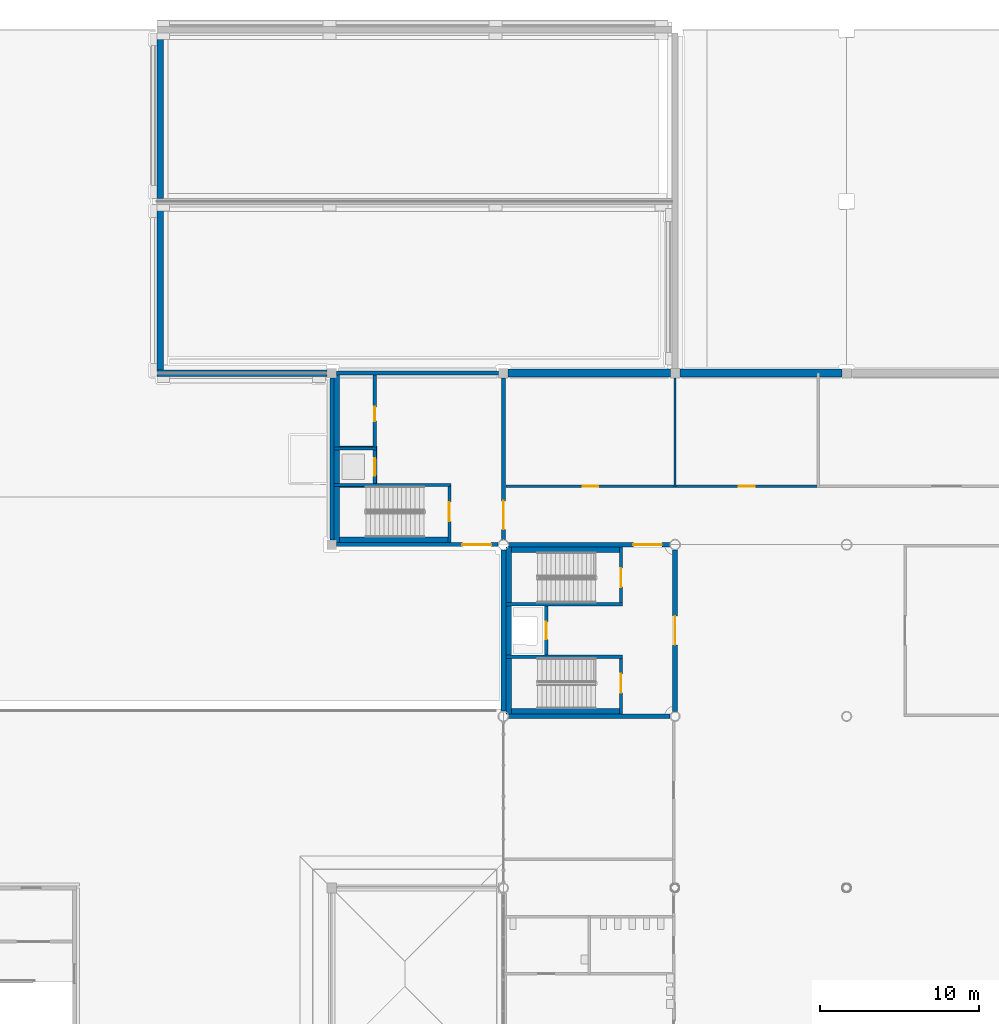
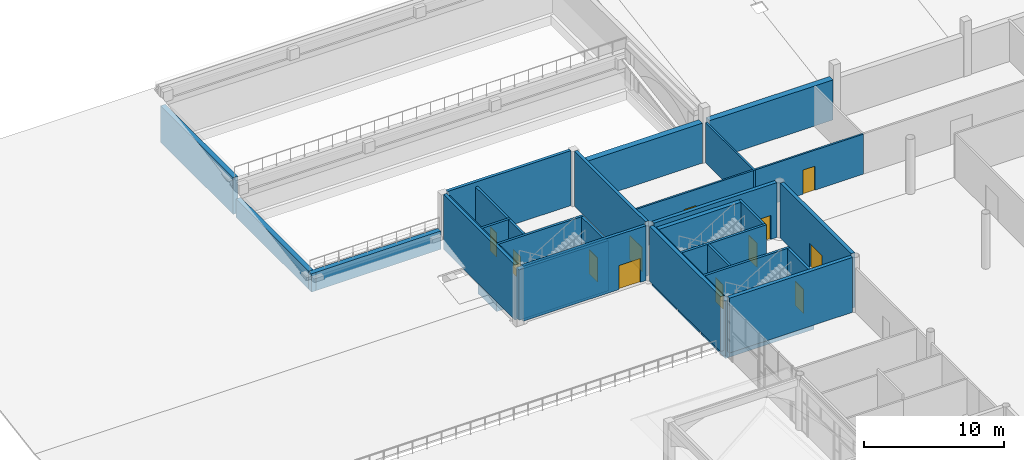
# One storey, part 50 of 91: 36 walls, 12 doors, 12 openings.
"""IFC4 building model written with IfcOpenShell, lengths in metres."""

from ifc_helpers import new_model, si_unit, direction, frame, frame_2d, origin, place, context, subcontext, project, spatial, polyline, rectangle, outline, extrude, material, layer, layer_set, type_object, element, fill, save


model = new_model("IFC4")

# Units and contexts
model_context = context("Model", 3, precision=1e-05, world=origin(), true_north=direction((0.0, 1.0)))
body_context = subcontext(model_context, "Body", "Model", "MODEL_VIEW")
ifc_project = project(units=[si_unit("LENGTHUNIT", "METRE"), si_unit("AREAUNIT", "SQUARE_METRE"), si_unit("VOLUMEUNIT", "CUBIC_METRE"), si_unit("PLANEANGLEUNIT", "RADIAN"), si_unit("MASSUNIT", "GRAM", prefix="KILO")], contexts=[model_context])

# Site, building, storey
site_placement = place(None, origin())
site = spatial("IfcSite", under=ifc_project, at=site_placement, CompositionType="ELEMENT")
building_placement = place(site_placement, origin())
building = spatial("IfcBuilding", under=site, at=building_placement, Name="Magnolia Steps Interchange", CompositionType="ELEMENT")
storey_placement = place(building_placement, origin())
storey = spatial("IfcBuildingStorey", under=building, at=storey_placement, Name="L00", CompositionType="ELEMENT", Elevation=0.0)

# Walls
ifc_material_1 = material(Name="Concrete C40", Category="concrete")
ifc_layer_1 = layer(ifc_material_1, 0.5)
ifc_layer_set_1 = layer_set([ifc_layer_1], Name="Concrete C40 plinth retaining wall 500")
wall_type_1 = type_object("IfcWallType", Name="Concrete C40 plinth retaining wall 500", PredefinedType="SOLIDWALL", material=ifc_layer_set_1)
for number, where, z_axis, x_axis, name in (
    (1, (53.5, 96.39990234375, 0.0), (0.0, 0.0, 1.0), (1.0, 0.0, 0.0), "Service wing north retaining wall"),
    (2, (64.300048828125, 96.39990234375, 0.0), (0.0, 0.0, 1.0), (1.0, 0.0, 0.0), "Service wing north retaining wall"),
):
    element("IfcWall", number, at=place(storey_placement, frame(where, z_axis=z_axis, x_axis=x_axis)), inside=storey, type_object=wall_type_1, Name=name, PredefinedType="SOLIDWALL", context=body_context, shape_type="SweptSolid", body=[
        extrude(rectangle(XDim=10.199951171875, YDim=0.5, at=frame_2d((5.10009765625, 0.0))), origin(), (0.0, 0.0, 1.0), 3.5),
    ])

# Wall, opening, door
ifc_material_2 = material(Name="Concrete C35", Category="concrete")
ifc_layer_2 = layer(ifc_material_2, 0.199951171875)
ifc_layer_set_2 = layer_set([ifc_layer_2], Name="Core enclosure wall 200")
wall_type_2 = type_object("IfcWallType", Name="Core enclosure wall 200", PredefinedType="SOLIDWALL", material=ifc_layer_set_2)
wall_1_placement = place(storey_placement, frame((60.60009765625, 74.949951171875, 0.0), z_axis=(0.0, 0.0, 1.0), x_axis=(0.0, 1.0, 0.0)))
wall_1 = element("IfcWall", 3, at=wall_1_placement, inside=storey, type_object=wall_type_2, Name="L00 HC1 enclosure wall", PredefinedType="SOLIDWALL", context=body_context, shape_type="SweptSolid", body=[
    extrude(rectangle(XDim=3.5, YDim=0.199951171875, at=frame_2d((1.75, 0.0))), origin(), (0.0, 0.0, 1.0), 4.39990234375),
])
opening_1_placement = place(wall_1_placement, frame((1.324951171875, 0.0, 0.0)))
opening_1 = element("IfcOpeningElement", 4, at=opening_1_placement, cuts=wall_1, Name="Opening D-HC1-L00-1", PredefinedType="OPENING", context=body_context, shape_type="SweptSolid", body=[
    extrude(rectangle(XDim=1.199951171875, YDim=2.10009765625, at=frame_2d((0.60009765625, 1.050048828125))), frame((0.0, 0.10986328125, 0.0), z_axis=(0.0, -1.0, 0.0), x_axis=(1.0, 0.0, 0.0)), (0.0, 0.0, 1.0), 0.219970703125),
])
ifc_material_3 = material(Name="Painted steel", Category="steel")
door_type_1 = type_object("IfcDoorType", Name="Stair fire door 1200x2100", OperationType="NOTDEFINED", PredefinedType="DOOR", material=ifc_material_3)
door_1_placement = place(opening_1_placement, frame((1.199951171875, 0.0, 0.0), z_axis=(0.0, 0.0, 1.0), x_axis=(-1.0, 0.0, 0.0)))
door_1 = element("IfcDoor", 5, at=door_1_placement, inside=storey, type_object=door_type_1, Name="Stair door ST1 L00", OperationType="SINGLE_SWING_LEFT", OverallHeight=2.10009765625, OverallWidth=1.199951171875, PredefinedType="DOOR", context=body_context, shape_type="SweptSolid", body=[
    extrude(rectangle(XDim=1.199951171875, YDim=2.10009765625, at=frame_2d((0.60009765625, 1.050048828125))), frame((0.0, 0.02490234375, 0.0), z_axis=(0.0, -1.0, 0.0), x_axis=(1.0, 0.0, 0.0)), (0.0, 0.0, 1.0), 0.050048828125),
])
fill(opening_1, door_1)

# Wall
wall_2_placement = place(storey_placement, frame((60.699951171875, 78.550048828125, 0.0), z_axis=(0.0, 0.0, 1.0), x_axis=(-1.0, 0.0, 0.0)))
element("IfcWall", 6, at=wall_2_placement, inside=storey, type_object=wall_type_2, Name="L00 HC1 enclosure wall", PredefinedType="SOLIDWALL", context=body_context, shape_type="SweptSolid", body=[
    extrude(rectangle(XDim=7.349853515625, YDim=0.199951171875, at=frame_2d((3.6748046875, 0.0))), origin(), (0.0, 0.0, 1.0), 4.39990234375),
])

# Wall, opening, door
wall_3_placement = place(storey_placement, frame((55.89990234375, 78.64990234375, 0.0), z_axis=(0.0, 0.0, 1.0), x_axis=(0.0, 1.0, 0.0)))
wall_3 = element("IfcWall", 7, at=wall_3_placement, inside=storey, type_object=wall_type_2, Name="L00 HC1 enclosure wall", PredefinedType="SOLIDWALL", context=body_context, shape_type="SweptSolid", body=[
    extrude(rectangle(XDim=3.10009765625, YDim=0.199951171875, at=frame_2d((1.550048828125, 0.0))), origin(), (0.0, 0.0, 1.0), 4.39990234375),
])
opening_2_placement = place(wall_3_placement, frame((1.0, 0.0, 0.0)))
opening_2 = element("IfcOpeningElement", 8, at=opening_2_placement, cuts=wall_3, Name="Opening LD", PredefinedType="OPENING", context=body_context, shape_type="SweptSolid", body=[
    extrude(rectangle(XDim=1.10009765625, YDim=2.10009765625, at=frame_2d((0.550048828125, 1.050048828125))), frame((0.0, 0.10986328125, 0.0), z_axis=(0.0, -1.0, 0.0), x_axis=(1.0, 0.0, 0.0)), (0.0, 0.0, 1.0), 0.219970703125),
])
ifc_material_4 = material(Name="Stainless steel grade 304", Category="steel")
door_type_2 = type_object("IfcDoorType", Name="Lift landing door 1100x2100", OperationType="DOUBLE_DOOR_SLIDING", PredefinedType="DOOR", material=ifc_material_4)
door_2_placement = place(opening_2_placement, frame((1.10009765625, 0.0, 0.0), z_axis=(0.0, 0.0, 1.0), x_axis=(-1.0, 0.0, 0.0)))
door_2 = element("IfcDoor", 9, at=door_2_placement, inside=storey, type_object=door_type_2, Name="Lift landing door LF1 L00", OperationType="DOUBLE_DOOR_SLIDING", OverallHeight=2.10009765625, OverallWidth=1.10009765625, PredefinedType="DOOR", context=body_context, shape_type="SweptSolid", body=[
    extrude(rectangle(XDim=1.10009765625, YDim=2.10009765625, at=frame_2d((0.550048828125, 1.050048828125))), frame((0.0, 0.02490234375, 0.0), z_axis=(0.0, -1.0, 0.0), x_axis=(1.0, 0.0, 0.0)), (0.0, 0.0, 1.0), 0.050048828125),
])
fill(opening_2, door_2)

# Wall
wall_4_placement = place(storey_placement, frame((60.699951171875, 81.85009765625, 0.0), z_axis=(0.0, 0.0, 1.0), x_axis=(-1.0, 0.0, 0.0)))
element("IfcWall", 10, at=wall_4_placement, inside=storey, type_object=wall_type_2, Name="L00 HC1 enclosure wall", PredefinedType="SOLIDWALL", context=body_context, shape_type="SweptSolid", body=[
    extrude(rectangle(XDim=7.349853515625, YDim=0.199951171875, at=frame_2d((3.6748046875, 0.0))), origin(), (0.0, 0.0, 1.0), 4.39990234375),
])

# Wall, opening, door
wall_5_placement = place(storey_placement, frame((60.60009765625, 81.949951171875, 0.0), z_axis=(0.0, 0.0, 1.0), x_axis=(0.0, 1.0, 0.0)))
wall_5 = element("IfcWall", 11, at=wall_5_placement, inside=storey, type_object=wall_type_2, Name="L00 HC1 enclosure wall", PredefinedType="SOLIDWALL", context=body_context, shape_type="SweptSolid", body=[
    extrude(rectangle(XDim=3.5, YDim=0.199951171875, at=frame_2d((1.75, 0.0))), origin(), (0.0, 0.0, 1.0), 4.39990234375),
])
opening_3_placement = place(wall_5_placement, frame((0.97509765625, 0.0, 0.0)))
opening_3 = element("IfcOpeningElement", 12, at=opening_3_placement, cuts=wall_5, Name="Opening D-HC1-L00-2", PredefinedType="OPENING", context=body_context, shape_type="SweptSolid", body=[
    extrude(rectangle(XDim=1.199951171875, YDim=2.10009765625, at=frame_2d((0.60009765625, 1.050048828125))), frame((0.0, 0.10986328125, 0.0), z_axis=(0.0, -1.0, 0.0), x_axis=(1.0, 0.0, 0.0)), (0.0, 0.0, 1.0), 0.219970703125),
])
door_3_placement = place(opening_3_placement, frame((1.199951171875, 0.0, 0.0), z_axis=(0.0, 0.0, 1.0), x_axis=(-1.0, 0.0, 0.0)))
door_3 = element("IfcDoor", 13, at=door_3_placement, inside=storey, type_object=door_type_1, Name="Stair door ST2 L00", OperationType="SINGLE_SWING_RIGHT", OverallHeight=2.10009765625, OverallWidth=1.199951171875, PredefinedType="DOOR", context=body_context, shape_type="SweptSolid", body=[
    extrude(rectangle(XDim=1.199951171875, YDim=2.10009765625, at=frame_2d((0.60009765625, 1.050048828125))), frame((0.0, 0.02490234375, 0.0), z_axis=(0.0, -1.0, 0.0), x_axis=(1.0, 0.0, 0.0)), (0.0, 0.0, 1.0), 0.050048828125),
])
fill(opening_3, door_3)

wall_6_placement = place(storey_placement, frame((49.800048828125, 85.72509765625, 0.0), z_axis=(0.0, 0.0, 1.0), x_axis=(0.0, 1.0, 0.0)))
wall_6 = element("IfcWall", 14, at=wall_6_placement, inside=storey, type_object=wall_type_2, Name="L00 WC-W enclosure wall", PredefinedType="SOLIDWALL", context=body_context, shape_type="SweptSolid", body=[
    extrude(rectangle(XDim=3.52490234375, YDim=0.199951171875, at=frame_2d((1.762451171875, 0.0))), origin(), (0.0, 0.0, 1.0), 4.39990234375),
])
opening_4_placement = place(wall_6_placement, frame((1.35009765625, 0.0, 0.0)))
opening_4 = element("IfcOpeningElement", 15, at=opening_4_placement, cuts=wall_6, Name="Opening D-WC-W-L00-1", PredefinedType="OPENING", context=body_context, shape_type="SweptSolid", body=[
    extrude(rectangle(XDim=1.199951171875, YDim=2.10009765625, at=frame_2d((0.60009765625, 1.050048828125))), frame((0.0, 0.10986328125, 0.0), z_axis=(0.0, -1.0, 0.0), x_axis=(1.0, 0.0, 0.0)), (0.0, 0.0, 1.0), 0.219970703125),
])
door_4_placement = place(opening_4_placement, frame((1.199951171875, 0.0, 0.0), z_axis=(0.0, 0.0, 1.0), x_axis=(-1.0, 0.0, 0.0)))
door_4 = element("IfcDoor", 16, at=door_4_placement, inside=storey, type_object=door_type_1, Name="Stair door ST26 L00", OperationType="SINGLE_SWING_LEFT", OverallHeight=2.10009765625, OverallWidth=1.199951171875, PredefinedType="DOOR", context=body_context, shape_type="SweptSolid", body=[
    extrude(rectangle(XDim=1.199951171875, YDim=2.10009765625, at=frame_2d((0.60009765625, 1.050048828125))), frame((0.0, 0.02490234375, 0.0), z_axis=(0.0, -1.0, 0.0), x_axis=(1.0, 0.0, 0.0)), (0.0, 0.0, 1.0), 0.050048828125),
])
fill(opening_4, door_4)

# Wall
wall_7_placement = place(storey_placement, frame((49.89990234375, 89.35009765625, 0.0), z_axis=(0.0, 0.0, 1.0), x_axis=(-1.0, 0.0, 0.0)))
element("IfcWall", 17, at=wall_7_placement, inside=storey, type_object=wall_type_2, Name="L00 WC-W enclosure wall", PredefinedType="SOLIDWALL", context=body_context, shape_type="SweptSolid", body=[
    extrude(rectangle(XDim=7.375, YDim=0.199951171875, at=frame_2d((3.6875, 0.0))), origin(), (0.0, 0.0, 1.0), 4.39990234375),
])

# Wall, opening, door
wall_8_placement = place(storey_placement, frame((45.10009765625, 89.449951171875, 0.0), z_axis=(0.0, 0.0, 1.0), x_axis=(0.0, 1.0, 0.0)))
wall_8 = element("IfcWall", 18, at=wall_8_placement, inside=storey, type_object=wall_type_2, Name="L00 WC-W enclosure wall", PredefinedType="SOLIDWALL", context=body_context, shape_type="SweptSolid", body=[
    extrude(rectangle(XDim=2.10009765625, YDim=0.199951171875, at=frame_2d((1.050048828125, 0.0))), origin(), (0.0, 0.0, 1.0), 4.39990234375),
])
opening_5_placement = place(wall_8_placement, frame((0.5, 0.0, 0.0)))
opening_5 = element("IfcOpeningElement", 19, at=opening_5_placement, cuts=wall_8, Name="Opening LD", PredefinedType="OPENING", context=body_context, shape_type="SweptSolid", body=[
    extrude(rectangle(XDim=1.10009765625, YDim=2.10009765625, at=frame_2d((0.550048828125, 1.050048828125))), frame((0.0, 0.10986328125, 0.0), z_axis=(0.0, -1.0, 0.0), x_axis=(1.0, 0.0, 0.0)), (0.0, 0.0, 1.0), 0.219970703125),
])
door_5_placement = place(opening_5_placement, frame((1.10009765625, 0.0, 0.0), z_axis=(0.0, 0.0, 1.0), x_axis=(-1.0, 0.0, 0.0)))
door_5 = element("IfcDoor", 20, at=door_5_placement, inside=storey, type_object=door_type_2, Name="Lift landing door LF13 L00", OperationType="DOUBLE_DOOR_SLIDING", OverallHeight=2.10009765625, OverallWidth=1.10009765625, PredefinedType="DOOR", context=body_context, shape_type="SweptSolid", body=[
    extrude(rectangle(XDim=1.10009765625, YDim=2.10009765625, at=frame_2d((0.550048828125, 1.050048828125))), frame((0.0, 0.02490234375, 0.0), z_axis=(0.0, -1.0, 0.0), x_axis=(1.0, 0.0, 0.0)), (0.0, 0.0, 1.0), 0.050048828125),
])
fill(opening_5, door_5)

# Wall
wall_9_placement = place(storey_placement, frame((45.199951171875, 91.64990234375, 0.0), z_axis=(0.0, 0.0, 1.0), x_axis=(-1.0, 0.0, 0.0)))
element("IfcWall", 21, at=wall_9_placement, inside=storey, type_object=wall_type_2, Name="L00 WC-W enclosure wall", PredefinedType="SOLIDWALL", context=body_context, shape_type="SweptSolid", body=[
    extrude(rectangle(XDim=2.675048828125, YDim=0.199951171875, at=frame_2d((1.33740234375, 0.0))), origin(), (0.0, 0.0, 1.0), 4.39990234375),
])

# Wall, opening, door
wall_10_placement = place(storey_placement, frame((45.10009765625, 91.75, 0.0), z_axis=(0.0, 0.0, 1.0), x_axis=(0.0, 1.0, 0.0)))
wall_10 = element("IfcWall", 22, at=wall_10_placement, inside=storey, type_object=wall_type_2, Name="L00 WC-W enclosure wall", PredefinedType="SOLIDWALL", context=body_context, shape_type="SweptSolid", body=[
    extrude(rectangle(XDim=4.52490234375, YDim=0.199951171875, at=frame_2d((2.262451171875, 0.0))), origin(), (0.0, 0.0, 1.0), 4.39990234375),
])
opening_6_placement = place(wall_10_placement, frame((1.625, 0.0, 0.0)))
opening_6 = element("IfcOpeningElement", 23, at=opening_6_placement, cuts=wall_10, Name="Opening D-WC-W-L00-2", PredefinedType="OPENING", context=body_context, shape_type="SweptSolid", body=[
    extrude(rectangle(XDim=0.89990234375, YDim=2.10009765625, at=frame_2d((0.449951171875, 1.050048828125))), frame((0.0, 0.10986328125, 0.0), z_axis=(0.0, -1.0, 0.0), x_axis=(1.0, 0.0, 0.0)), (0.0, 0.0, 1.0), 0.219970703125),
])
ifc_material_5 = material(Name="Painted steel", Category="steel")
door_type_3 = type_object("IfcDoorType", Name="Riser door 900x2100", OperationType="NOTDEFINED", PredefinedType="DOOR", material=ifc_material_5)
door_6_placement = place(opening_6_placement, frame((0.89990234375, 0.0, 0.0), z_axis=(0.0, 0.0, 1.0), x_axis=(-1.0, 0.0, 0.0)))
door_6 = element("IfcDoor", 24, at=door_6_placement, inside=storey, type_object=door_type_3, Name="Riser door WC-W L00", OperationType="SINGLE_SWING_RIGHT", OverallHeight=2.10009765625, OverallWidth=0.89990234375, PredefinedType="DOOR", context=body_context, shape_type="SweptSolid", body=[
    extrude(rectangle(XDim=0.89990234375, YDim=2.10009765625, at=frame_2d((0.449951171875, 1.050048828125))), frame((0.0, 0.02490234375, 0.0), z_axis=(0.0, -1.0, 0.0), x_axis=(1.0, 0.0, 0.0)), (0.0, 0.0, 1.0), 0.050048828125),
])
fill(opening_6, door_6)

# Walls
ifc_material_6 = material(Name="Concrete C35", Category="concrete")
ifc_layer_3 = layer(ifc_material_6, 0.35009765625)
ifc_layer_set_3 = layer_set([ifc_layer_3], Name="Core lining wall 350")
wall_type_3 = type_object("IfcWallType", Name="Core lining wall 350", PredefinedType="SOLIDWALL", material=ifc_layer_set_3)
wall_11_placement = place(storey_placement, frame((60.699951171875, 75.125, -0.60009765625), z_axis=(0.0, 0.0, 1.0), x_axis=(-1.0, 0.0, 0.0)))
element("IfcWall", 25, at=wall_11_placement, inside=storey, type_object=wall_type_3, Name="L00 HC1 stair lining wall", PredefinedType="SOLIDWALL", context=body_context, shape_type="SweptSolid", body=[
    extrude(rectangle(XDim=7.349853515625, YDim=0.35009765625, at=frame_2d((3.6748046875, 0.0))), origin(), (0.0, 0.0, 1.0), 5.0),
])
wall_12_placement = place(storey_placement, frame((53.52490234375, 74.949951171875, -0.60009765625), z_axis=(0.0, 0.0, 1.0), x_axis=(0.0, 1.0, 0.0)))
element("IfcWall", 26, at=wall_12_placement, inside=storey, type_object=wall_type_3, Name="L00 HC1 stair lining wall", PredefinedType="SOLIDWALL", context=body_context, shape_type="SweptSolid", body=[
    extrude(rectangle(XDim=3.5, YDim=0.35009765625, at=frame_2d((1.75, 0.0))), origin(), (0.0, 0.0, 1.0), 5.0),
])
wall_13_placement = place(storey_placement, frame((60.699951171875, 85.27490234375, -0.60009765625), z_axis=(0.0, 0.0, 1.0), x_axis=(-1.0, 0.0, 0.0)))
element("IfcWall", 27, at=wall_13_placement, inside=storey, type_object=wall_type_3, Name="L00 HC1 stair lining wall", PredefinedType="SOLIDWALL", context=body_context, shape_type="SweptSolid", body=[
    extrude(rectangle(XDim=7.349853515625, YDim=0.35009765625, at=frame_2d((3.6748046875, 0.0))), origin(), (0.0, 0.0, 1.0), 5.0),
])
wall_14_placement = place(storey_placement, frame((53.52490234375, 81.949951171875, -0.60009765625), z_axis=(0.0, 0.0, 1.0), x_axis=(0.0, 1.0, 0.0)))
element("IfcWall", 28, at=wall_14_placement, inside=storey, type_object=wall_type_3, Name="L00 HC1 stair lining wall", PredefinedType="SOLIDWALL", context=body_context, shape_type="SweptSolid", body=[
    extrude(rectangle(XDim=3.5, YDim=0.35009765625, at=frame_2d((1.75, 0.0))), origin(), (0.0, 0.0, 1.0), 5.0),
])
wall_15_placement = place(storey_placement, frame((53.52490234375, 78.64990234375, -0.60009765625), z_axis=(0.0, 0.0, 1.0), x_axis=(0.0, 1.0, 0.0)))
element("IfcWall", 29, at=wall_15_placement, inside=storey, type_object=wall_type_3, Name="L00 HC1 stair lining wall", PredefinedType="SOLIDWALL", context=body_context, shape_type="SweptSolid", body=[
    extrude(rectangle(XDim=3.10009765625, YDim=0.35009765625, at=frame_2d((1.550048828125, 0.0))), origin(), (0.0, 0.0, 1.0), 5.0),
])
ifc_material_7 = material(Name="Concrete C35", Category="concrete")
ifc_layer_4 = layer(ifc_material_7, 0.375)
ifc_layer_set_4 = layer_set([ifc_layer_4], Name="Core lining wall 375")
wall_type_4 = type_object("IfcWallType", Name="Core lining wall 375", PredefinedType="SOLIDWALL", material=ifc_layer_set_4)
wall_16_placement = place(storey_placement, frame((49.89990234375, 85.91259765625, 0.0), z_axis=(0.0, 0.0, 1.0), x_axis=(-1.0, 0.0, 0.0)))
element("IfcWall", 30, at=wall_16_placement, inside=storey, type_object=wall_type_4, Name="L00 WC-W stair lining wall", PredefinedType="SOLIDWALL", context=body_context, shape_type="SweptSolid", body=[
    extrude(rectangle(XDim=7.375, YDim=0.375, at=frame_2d((3.6875, 0.0))), origin(), (0.0, 0.0, 1.0), 4.39990234375),
])
wall_17_placement = place(storey_placement, frame((42.71240234375, 85.72509765625, 0.0), z_axis=(0.0, 0.0, 1.0), x_axis=(0.0, 1.0, 0.0)))
element("IfcWall", 31, at=wall_17_placement, inside=storey, type_object=wall_type_4, Name="L00 WC-W stair lining wall", PredefinedType="SOLIDWALL", context=body_context, shape_type="SweptSolid", body=[
    extrude(rectangle(XDim=3.52490234375, YDim=0.375, at=frame_2d((1.762451171875, 0.0))), origin(), (0.0, 0.0, 1.0), 4.39990234375),
])
wall_18_placement = place(storey_placement, frame((42.71240234375, 89.449951171875, 0.0), z_axis=(0.0, 0.0, 1.0), x_axis=(0.0, 1.0, 0.0)))
element("IfcWall", 32, at=wall_18_placement, inside=storey, type_object=wall_type_4, Name="L00 WC-W stair lining wall", PredefinedType="SOLIDWALL", context=body_context, shape_type="SweptSolid", body=[
    extrude(rectangle(XDim=2.10009765625, YDim=0.375, at=frame_2d((1.050048828125, 0.0))), origin(), (0.0, 0.0, 1.0), 4.39990234375),
])
wall_19_placement = place(storey_placement, frame((42.71240234375, 91.75, 0.0), z_axis=(0.0, 0.0, 1.0), x_axis=(0.0, 1.0, 0.0)))
element("IfcWall", 33, at=wall_19_placement, inside=storey, type_object=wall_type_4, Name="L00 WC-W stair lining wall", PredefinedType="SOLIDWALL", context=body_context, shape_type="SweptSolid", body=[
    extrude(rectangle(XDim=4.52490234375, YDim=0.375, at=frame_2d((2.262451171875, 0.0))), origin(), (0.0, 0.0, 1.0), 4.39990234375),
])

# Wall, opening, door
ifc_material_8 = material(Name="Concrete C40", Category="concrete")
ifc_layer_5 = layer(ifc_material_8, 0.25)
ifc_layer_set_5 = layer_set([ifc_layer_5], Name="Core wall 250")
wall_type_5 = type_object("IfcWallType", Name="Core wall 250", PredefinedType="SOLIDWALL", material=ifc_layer_set_5)
wall_20_placement = place(storey_placement, frame((42.699951171875, 85.60009765625, 0.0), z_axis=(0.0, 0.0, 1.0), x_axis=(1.0, 0.0, 0.0)))
wall_20 = element("IfcWall", 34, at=wall_20_placement, inside=storey, type_object=wall_type_5, Name="Core wall WC-W", PredefinedType="SOLIDWALL", context=body_context, shape_type="SweptSolid", body=[
    extrude(rectangle(XDim=10.170166015625, YDim=0.25, at=frame_2d((5.0849609375, 0.0))), origin(), (0.0, 0.0, 1.0), 4.800048828125),
])
opening_7_placement = place(wall_20_placement, frame((7.925048828125, 0.0, 0.0)))
opening_7 = element("IfcOpeningElement", 35, at=opening_7_placement, cuts=wall_20, Name="Opening D-WC-W-L00-4", PredefinedType="OPENING", context=body_context, shape_type="SweptSolid", body=[
    extrude(rectangle(XDim=1.800048828125, YDim=2.10009765625, at=frame_2d((0.89990234375, 1.050048828125))), frame((0.0, 0.135009765625, 0.0), z_axis=(0.0, -1.0, 0.0), x_axis=(1.0, 0.0, 0.0)), (0.0, 0.0, 1.0), 0.27001953125),
])
ifc_material_9 = material(Name="Timber and glass", Category="wood")
door_type_4 = type_object("IfcDoorType", Name="Core entrance door pair 1800x2100", OperationType="DOUBLE_DOOR_DOUBLE_SWING", PredefinedType="DOOR", material=ifc_material_9)
door_7_placement = place(opening_7_placement, frame((1.800048828125, 0.0, 0.0), z_axis=(0.0, 0.0, 1.0), x_axis=(-1.0, 0.0, 0.0)))
door_7 = element("IfcDoor", 36, at=door_7_placement, inside=storey, type_object=door_type_4, Name="Core exit door WC-W L00", OperationType="DOUBLE_DOOR_DOUBLE_SWING", OverallHeight=2.10009765625, OverallWidth=1.800048828125, PredefinedType="DOOR", context=body_context, shape_type="SweptSolid", body=[
    extrude(rectangle(XDim=1.800048828125, YDim=2.10009765625, at=frame_2d((0.89990234375, 1.050048828125))), frame((0.0, 0.02490234375, 0.0), z_axis=(0.0, -1.0, 0.0), x_axis=(1.0, 0.0, 0.0)), (0.0, 0.0, 1.0), 0.050048828125),
])
fill(opening_7, door_7)

wall_21_placement = place(storey_placement, frame((53.199951171875, 85.929931640625, 0.0), z_axis=(0.0, 0.0, 1.0), x_axis=(0.0, 1.0, 0.0)))
wall_21 = element("IfcWall", 37, at=wall_21_placement, inside=storey, type_object=wall_type_5, Name="Core wall WC-W", PredefinedType="SOLIDWALL", context=body_context, shape_type="SweptSolid", body=[
    extrude(rectangle(XDim=10.170166015625, YDim=0.25, at=frame_2d((5.0849609375, 0.0))), origin(), (0.0, 0.0, 1.0), 4.800048828125),
])
opening_8_placement = place(wall_21_placement, frame((0.633056640625, 0.0, 0.0)))
opening_8 = element("IfcOpeningElement", 38, at=opening_8_placement, cuts=wall_21, Name="Opening D-WC-W-L00-3", PredefinedType="OPENING", context=body_context, shape_type="SweptSolid", body=[
    extrude(rectangle(XDim=1.800048828125, YDim=2.10009765625, at=frame_2d((0.89990234375, 1.050048828125))), frame((0.0, 0.135009765625, 0.0), z_axis=(0.0, -1.0, 0.0), x_axis=(1.0, 0.0, 0.0)), (0.0, 0.0, 1.0), 0.27001953125),
])
door_8_placement = place(opening_8_placement, frame((1.800048828125, 0.0, 0.0), z_axis=(0.0, 0.0, 1.0), x_axis=(-1.0, 0.0, 0.0)))
door_8 = element("IfcDoor", 39, at=door_8_placement, inside=storey, type_object=door_type_4, Name="Core entrance door WC-W L00", OperationType="DOUBLE_DOOR_DOUBLE_SWING", OverallHeight=2.10009765625, OverallWidth=1.800048828125, PredefinedType="DOOR", context=body_context, shape_type="SweptSolid", body=[
    extrude(rectangle(XDim=1.800048828125, YDim=2.10009765625, at=frame_2d((0.89990234375, 1.050048828125))), frame((0.0, 0.02490234375, 0.0), z_axis=(0.0, -1.0, 0.0), x_axis=(1.0, 0.0, 0.0)), (0.0, 0.0, 1.0), 0.050048828125),
])
fill(opening_8, door_8)

# Walls
wall_22_placement = place(storey_placement, frame((52.89990234375, 96.39990234375, 0.0), z_axis=(0.0, 0.0, 1.0), x_axis=(-1.0, 0.0, 0.0)))
element("IfcWall", 40, at=wall_22_placement, inside=storey, type_object=wall_type_5, Name="Core wall WC-W", PredefinedType="SOLIDWALL", context=body_context, shape_type="SweptSolid", body=[
    extrude(rectangle(XDim=10.199951171875, YDim=0.25, at=frame_2d((5.10009765625, 0.0))), origin(), (0.0, 0.0, 1.0), 4.800048828125),
])
wall_23_placement = place(storey_placement, frame((42.39990234375, 96.10009765625, 0.0), z_axis=(0.0, 0.0, 1.0), x_axis=(0.0, -1.0, 0.0)))
element("IfcWall", 41, at=wall_23_placement, inside=storey, type_object=wall_type_5, Name="Core wall WC-W", PredefinedType="SOLIDWALL", context=body_context, shape_type="SweptSolid", body=[
    extrude(rectangle(XDim=10.2001953125, YDim=0.25, at=frame_2d((5.10009765625, 0.0))), origin(), (0.0, 0.0, 1.0), 4.800048828125),
])
ifc_material_10 = material(Name="Concrete C40", Category="concrete")
ifc_layer_6 = layer(ifc_material_10, 0.300048828125)
ifc_layer_set_6 = layer_set([ifc_layer_6], Name="Core wall 300")
wall_type_6 = type_object("IfcWallType", Name="Core wall 300", PredefinedType="SOLIDWALL", material=ifc_layer_set_6)
wall_24_placement = place(storey_placement, frame((53.530029296875, 74.800048828125, 0.0), z_axis=(0.0, 0.0, 1.0), x_axis=(1.0, 0.0, 0.0)))
element("IfcWall", 42, at=wall_24_placement, inside=storey, type_object=wall_type_6, Name="Core wall HC1", PredefinedType="SOLIDWALL", context=body_context, shape_type="SweptSolid", body=[
    extrude(rectangle(XDim=10.1650390625, YDim=0.300048828125, at=frame_2d((5.08251953125, 0.0))), origin(), (0.0, 0.0, 1.0), 4.800048828125),
])

# Wall, opening, door
wall_25_placement = place(storey_placement, frame((64.0, 75.10498046875, 0.0), z_axis=(0.0, 0.0, 1.0), x_axis=(0.0, 1.0, 0.0)))
wall_25 = element("IfcWall", 43, at=wall_25_placement, inside=storey, type_object=wall_type_6, Name="Core wall HC1", PredefinedType="SOLIDWALL", context=body_context, shape_type="SweptSolid", body=[
    extrude(rectangle(XDim=10.1650390625, YDim=0.300048828125, at=frame_2d((5.08251953125, 0.0))), origin(), (0.0, 0.0, 1.0), 4.800048828125),
])
opening_9_placement = place(wall_25_placement, frame((4.195068359375, 0.0, 0.0)))
opening_9 = element("IfcOpeningElement", 44, at=opening_9_placement, cuts=wall_25, Name="Opening D-HC1-L00-3", PredefinedType="OPENING", context=body_context, shape_type="SweptSolid", body=[
    extrude(rectangle(XDim=1.800048828125, YDim=2.10009765625, at=frame_2d((0.89990234375, 1.050048828125))), frame((0.0, 0.159912109375, 0.0), z_axis=(0.0, -1.0, 0.0), x_axis=(1.0, 0.0, 0.0)), (0.0, 0.0, 1.0), 0.320068359375),
])
door_9_placement = place(opening_9_placement, frame((1.800048828125, 0.0, 0.0), z_axis=(0.0, 0.0, 1.0), x_axis=(-1.0, 0.0, 0.0)))
door_9 = element("IfcDoor", 45, at=door_9_placement, inside=storey, type_object=door_type_4, Name="Core entrance door HC1 L00", OperationType="DOUBLE_DOOR_DOUBLE_SWING", OverallHeight=2.10009765625, OverallWidth=1.800048828125, PredefinedType="DOOR", context=body_context, shape_type="SweptSolid", body=[
    extrude(rectangle(XDim=1.800048828125, YDim=2.10009765625, at=frame_2d((0.89990234375, 1.050048828125))), frame((0.0, 0.02490234375, 0.0), z_axis=(0.0, -1.0, 0.0), x_axis=(1.0, 0.0, 0.0)), (0.0, 0.0, 1.0), 0.050048828125),
])
fill(opening_9, door_9)

wall_26_placement = place(storey_placement, frame((63.669921875, 85.60009765625, 0.0), z_axis=(0.0, 0.0, 1.0), x_axis=(-1.0, 0.0, 0.0)))
wall_26 = element("IfcWall", 46, at=wall_26_placement, inside=storey, type_object=wall_type_6, Name="Core wall HC1", PredefinedType="SOLIDWALL", context=body_context, shape_type="SweptSolid", body=[
    extrude(rectangle(XDim=10.139892578125, YDim=0.300048828125, at=frame_2d((5.06982421875, 0.0))), origin(), (0.0, 0.0, 1.0), 4.800048828125),
])
opening_10_placement = place(wall_26_placement, frame((0.4951171875, 0.0, 0.0)))
opening_10 = element("IfcOpeningElement", 47, at=opening_10_placement, cuts=wall_26, Name="Opening D-HC1-L00-4", PredefinedType="OPENING", context=body_context, shape_type="SweptSolid", body=[
    extrude(rectangle(XDim=1.800048828125, YDim=2.10009765625, at=frame_2d((0.89990234375, 1.050048828125))), frame((0.0, 0.159912109375, 0.0), z_axis=(0.0, -1.0, 0.0), x_axis=(1.0, 0.0, 0.0)), (0.0, 0.0, 1.0), 0.320068359375),
])
door_10_placement = place(opening_10_placement, frame((1.800048828125, 0.0, 0.0), z_axis=(0.0, 0.0, 1.0), x_axis=(-1.0, 0.0, 0.0)))
door_10 = element("IfcDoor", 48, at=door_10_placement, inside=storey, type_object=door_type_4, Name="Core entrance door HC1 L00", OperationType="DOUBLE_DOOR_DOUBLE_SWING", OverallHeight=2.10009765625, OverallWidth=1.800048828125, PredefinedType="DOOR", context=body_context, shape_type="SweptSolid", body=[
    extrude(rectangle(XDim=1.800048828125, YDim=2.10009765625, at=frame_2d((0.89990234375, 1.050048828125))), frame((0.0, 0.02490234375, 0.0), z_axis=(0.0, -1.0, 0.0), x_axis=(1.0, 0.0, 0.0)), (0.0, 0.0, 1.0), 0.050048828125),
])
fill(opening_10, door_10)

# Walls
wall_27_placement = place(storey_placement, frame((53.199951171875, 85.27001953125, 0.0), z_axis=(0.0, 0.0, 1.0), x_axis=(0.0, -1.0, 0.0)))
element("IfcWall", 49, at=wall_27_placement, inside=storey, type_object=wall_type_6, Name="Core wall HC1", PredefinedType="SOLIDWALL", context=body_context, shape_type="SweptSolid", body=[
    extrude(rectangle(XDim=10.14013671875, YDim=0.300048828125, at=frame_2d((5.070068359375, 0.0))), origin(), (0.0, 0.0, 1.0), 4.800048828125),
])
ifc_material_11 = material(Name="Concrete C40", Category="concrete")
ifc_layer_7 = layer(ifc_material_11, 0.25)
ifc_layer_set_7 = layer_set([ifc_layer_7], Name="Lift pit wall 250")
wall_type_7 = type_object("IfcWallType", Name="Lift pit wall 250", PredefinedType="SOLIDWALL", material=ifc_layer_set_7)
wall_28_placement = place(storey_placement, frame((0.0, 0.0, -1.39990234375)))
element("IfcWall", 50, at=wall_28_placement, inside=storey, type_object=wall_type_7, Name="Lift pit wall WC-W", PredefinedType="SOLIDWALL", context=body_context, shape_type="SweptSolid", body=[
    extrude(outline(polyline([(45.25, 89.199951171875), (45.25, 91.800048828125), (42.64990234375, 91.800048828125), (42.64990234375, 89.199951171875), (45.25, 89.199951171875)]), holes=[polyline([(45.0, 91.550048828125), (42.89990234375, 91.550048828125), (42.89990234375, 89.449951171875), (45.0, 89.449951171875), (45.0, 91.550048828125)])]), origin(), (0.0, 0.0, 1.0), 1.39990234375),
])

# Wall, opening, door
ifc_material_12 = material(Name="Fair-faced blockwork", Category="masonry")
ifc_layer_8 = layer(ifc_material_12, 0.14990234375)
ifc_layer_set_8 = layer_set([ifc_layer_8], Name="Partition wall 150")
wall_type_8 = type_object("IfcWallType", Name="Partition wall 150", PredefinedType="PARTITIONING", material=ifc_layer_set_8)
wall_29_placement = place(storey_placement, frame((53.35498046875, 89.27490234375, 0.0), z_axis=(0.0, 0.0, 1.0), x_axis=(1.0, 0.0, 0.0)))
wall_29 = element("IfcWall", 51, at=wall_29_placement, inside=storey, type_object=wall_type_8, Name="L00 partition 4", PredefinedType="PARTITIONING", context=body_context, shape_type="SweptSolid", body=[
    extrude(rectangle(XDim=10.64501953125, YDim=0.14990234375, at=frame_2d((5.322509765625, 0.0))), origin(), (0.0, 0.0, 1.0), 3.5),
])
opening_11_placement = place(wall_29_placement, frame((4.822509765625, 0.0, 0.0)))
opening_11 = element("IfcOpeningElement", 52, at=opening_11_placement, cuts=wall_29, Name="Opening D-L00-1", PredefinedType="OPENING", context=body_context, shape_type="SweptSolid", body=[
    extrude(rectangle(XDim=1.0, YDim=2.10009765625, at=frame_2d((0.5, 1.050048828125))), frame((0.0, 0.0849609375, 0.0), z_axis=(0.0, -1.0, 0.0), x_axis=(1.0, 0.0, 0.0)), (0.0, 0.0, 1.0), 0.169921875),
])
ifc_material_13 = material(Name="Timber", Category="wood")
door_type_5 = type_object("IfcDoorType", Name="Room door 1000x2100", OperationType="NOTDEFINED", PredefinedType="DOOR", material=ifc_material_13)
door_11_placement = place(opening_11_placement, origin())
door_11 = element("IfcDoor", 53, at=door_11_placement, inside=storey, type_object=door_type_5, Name="Station Staff Room door", OperationType="SINGLE_SWING_LEFT", OverallHeight=2.10009765625, OverallWidth=1.0, PredefinedType="DOOR", context=body_context, shape_type="SweptSolid", body=[
    extrude(rectangle(XDim=1.0, YDim=2.10009765625, at=frame_2d((0.5, 1.050048828125))), frame((0.0, 0.02490234375, 0.0), z_axis=(0.0, -1.0, 0.0), x_axis=(1.0, 0.0, 0.0)), (0.0, 0.0, 1.0), 0.050048828125),
])
fill(opening_11, door_11)

wall_30_placement = place(storey_placement, frame((64.0, 89.27490234375, 0.0), z_axis=(0.0, 0.0, 1.0), x_axis=(1.0, 0.0, 0.0)))
wall_30 = element("IfcWall", 54, at=wall_30_placement, inside=storey, type_object=wall_type_8, Name="L00 partition 5", PredefinedType="PARTITIONING", context=body_context, shape_type="SweptSolid", body=[
    extrude(rectangle(XDim=9.0, YDim=0.14990234375, at=frame_2d((4.5, 0.0))), origin(), (0.0, 0.0, 1.0), 3.5),
])
opening_12_placement = place(wall_30_placement, frame((4.0, 0.0, 0.0)))
opening_12 = element("IfcOpeningElement", 55, at=opening_12_placement, cuts=wall_30, Name="Opening D-L00-2", PredefinedType="OPENING", context=body_context, shape_type="SweptSolid", body=[
    extrude(rectangle(XDim=1.0, YDim=2.10009765625, at=frame_2d((0.5, 1.050048828125))), frame((0.0, 0.0849609375, 0.0), z_axis=(0.0, -1.0, 0.0), x_axis=(1.0, 0.0, 0.0)), (0.0, 0.0, 1.0), 0.169921875),
])
door_12_placement = place(opening_12_placement, origin())
door_12 = element("IfcDoor", 56, at=door_12_placement, inside=storey, type_object=door_type_5, Name="Station Locker Room door", OperationType="SINGLE_SWING_LEFT", OverallHeight=2.10009765625, OverallWidth=1.0, PredefinedType="DOOR", context=body_context, shape_type="SweptSolid", body=[
    extrude(rectangle(XDim=1.0, YDim=2.10009765625, at=frame_2d((0.5, 1.050048828125))), frame((0.0, 0.02490234375, 0.0), z_axis=(0.0, -1.0, 0.0), x_axis=(1.0, 0.0, 0.0)), (0.0, 0.0, 1.0), 0.050048828125),
])
fill(opening_12, door_12)

# Walls
wall_31_placement = place(storey_placement, frame((64.0, 89.199951171875, 0.0), z_axis=(0.0, 0.0, 1.0), x_axis=(0.0, 1.0, 0.0)))
element("IfcWall", 57, at=wall_31_placement, inside=storey, type_object=wall_type_8, Name="L00 partition 14", PredefinedType="PARTITIONING", context=body_context, shape_type="SweptSolid", body=[
    extrude(rectangle(XDim=6.880126953125, YDim=0.14990234375, at=frame_2d((3.43994140625, 0.0))), origin(), (0.0, 0.0, 1.0), 3.5),
])
ifc_material_14 = material(Name="Concrete C40", Category="concrete")
ifc_layer_9 = layer(ifc_material_14, 0.39990234375)
ifc_layer_set_9 = layer_set([ifc_layer_9], Name="Terrace retaining wall 400")
wall_type_9 = type_object("IfcWallType", Name="Terrace retaining wall 400", PredefinedType="SOLIDWALL", material=ifc_layer_set_9)
wall_32_placement = place(storey_placement, frame((31.39990234375, 96.39990234375, 0.0), z_axis=(0.0, 0.0, 1.0), x_axis=(1.0, 0.0, 0.0)))
element("IfcWall", 58, at=wall_32_placement, inside=storey, type_object=wall_type_9, Name="Terrace wall W 1", PredefinedType="SOLIDWALL", context=body_context, shape_type="SweptSolid", body=[
    extrude(rectangle(XDim=10.7001953125, YDim=0.39990234375, at=frame_2d((5.35009765625, 0.0))), origin(), (0.0, 0.0, 1.0), 1.60009765625),
])
wall_33_placement = place(storey_placement, frame((31.60009765625, 96.199951171875, 0.0), z_axis=(0.0, 0.0, 1.0), x_axis=(0.0, 1.0, 0.0)))
element("IfcWall", 59, at=wall_33_placement, inside=storey, type_object=wall_type_9, Name="Terrace end wall W 1", PredefinedType="SOLIDWALL", context=body_context, shape_type="SweptSolid", body=[
    extrude(rectangle(XDim=10.800048828125, YDim=0.39990234375, at=frame_2d((5.39990234375, 0.0))), origin(), (0.0, 0.0, 1.0), 1.60009765625),
])
wall_34_placement = place(storey_placement, frame((31.60009765625, 107.39990234375, 0.0), z_axis=(0.0, 0.0, 1.0), x_axis=(0.0, 1.0, 0.0)))
element("IfcWall", 60, at=wall_34_placement, inside=storey, type_object=wall_type_9, Name="Terrace end wall W 2", PredefinedType="SOLIDWALL", context=body_context, shape_type="SweptSolid", body=[
    extrude(rectangle(XDim=10.400146484375, YDim=0.39990234375, at=frame_2d((5.2001953125, 0.0))), origin(), (0.0, 0.0, 1.0), 3.199951171875),
])

save(model, "model.ifc")
